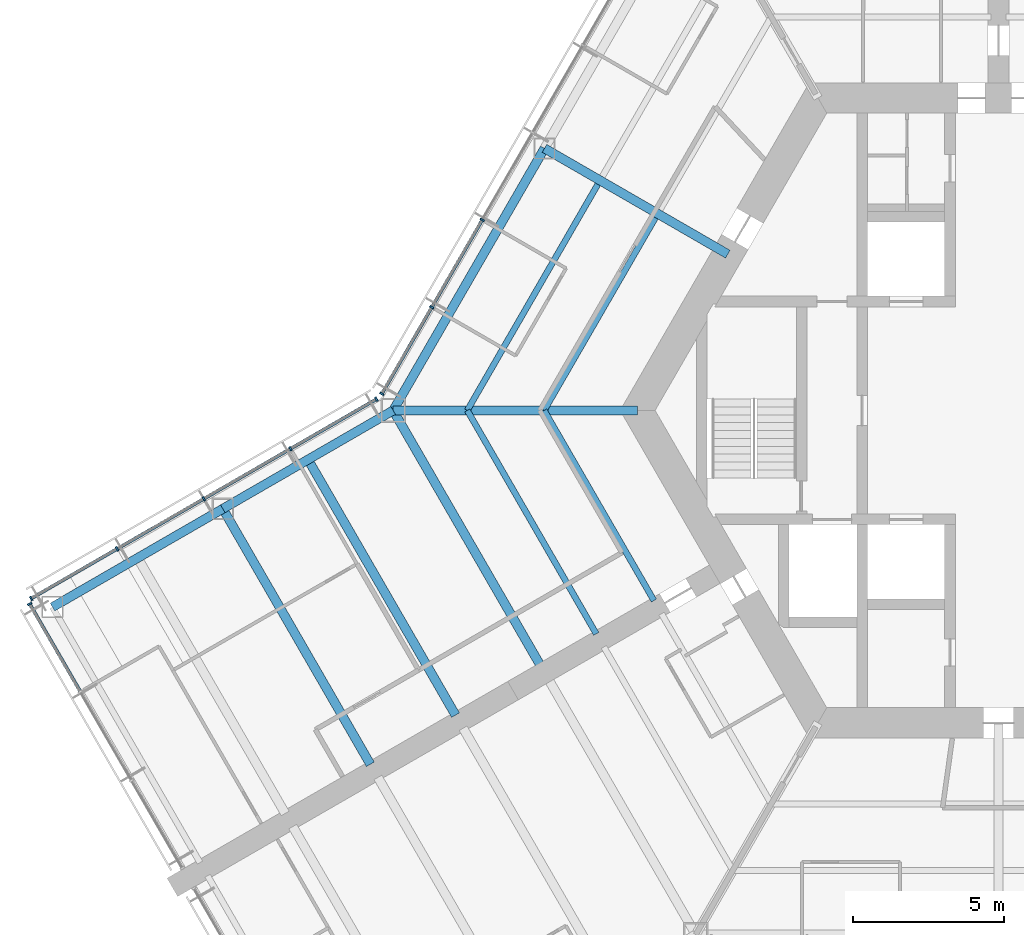
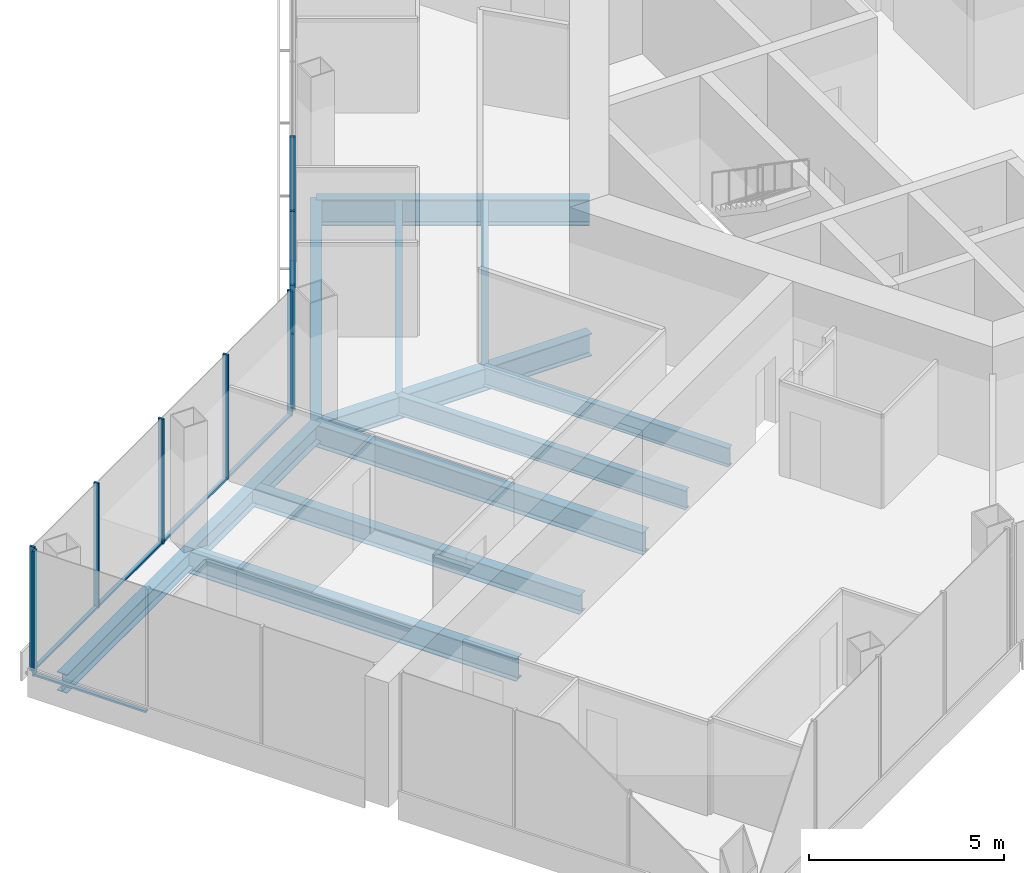
# One storey, part 4 of 18: 16 members, 12 beams, 3 elements without a shape of their own.
"""IFC4 building model written with IfcOpenShell, lengths in metres."""

from ifc_helpers import new_model, si_unit, direction, frame, origin, origin_2d, place, context, subcontext, project, spatial, rectangle, i_section, extrude, material, material_profile, profile_set, type_object, element, aggregate, save


model = new_model("IFC4")

# Units and contexts
model_context = context("Model", 3, precision=1e-05, world=origin(), true_north=direction((0.0, 1.0)))
body_context = subcontext(model_context, "Body", "Model", "MODEL_VIEW")
ifc_project = project(units=[si_unit("LENGTHUNIT", "METRE"), si_unit("AREAUNIT", "SQUARE_METRE"), si_unit("VOLUMEUNIT", "CUBIC_METRE"), si_unit("PLANEANGLEUNIT", "RADIAN"), si_unit("MASSUNIT", "GRAM", prefix="KILO")], contexts=[model_context])

# Site, building, storey
site_placement = place(None, origin())
site = spatial("IfcSite", under=ifc_project, at=site_placement, CompositionType="ELEMENT")
building_placement = place(site_placement, origin())
building = spatial("IfcBuilding", under=site, at=building_placement, Name="Kasaneha Research Tower", CompositionType="ELEMENT")
storey_placement = place(building_placement, frame((0.0, 0.0, 179.89990234375)))
storey = spatial("IfcBuildingStorey", under=building, at=storey_placement, Name="L45", CompositionType="ELEMENT", Elevation=179.89990234375)

# Beams
ifc_material_1 = material(Name="Steel SN490B", Category="steel")
ifc_material_profile_1 = material_profile(ifc_material_1, i_section(OverallWidth=0.199951171875, OverallDepth=0.60009765625, WebThickness=0.010986328125, FlangeThickness=0.01708984375, FilletRadius=0.012939453125, at=origin_2d()), Name="H-600x200x11x17")
ifc_profile_set_1 = profile_set([ifc_material_profile_1], Name="Steel SN490B")
beam_type_1 = type_object("IfcBeamType", Name="B1-3 secondary beam H-600x200x11x17", PredefinedType="JOIST", material=ifc_profile_set_1)
beam_1_placement = place(storey_placement, frame((-15.010986328125, 0.0, -0.449951171875), z_axis=(0.499994443168, 0.866028611999, 0.0), x_axis=(-0.866028611999, 0.499994443168, 0.0)))
element("IfcBeam", 1, at=beam_1_placement, inside=storey, type_object=beam_type_1, Name="Secondary beam RS150R1 L45", PredefinedType="JOIST", context=body_context, shape_type="SweptSolid", body=[
    extrude(i_section(OverallWidth=0.199951171875, OverallDepth=0.60009765625, WebThickness=0.010986328125, FlangeThickness=0.01708984375, FilletRadius=0.012939453125, at=origin_2d()), origin(), (0.0, 0.0, 1.0), 7.35546875),
])
beam_2_placement = place(storey_placement, frame((-17.551513671875, 0.0, -0.449951171875), z_axis=(0.5000050195, 0.866022505755, 0.0), x_axis=(-0.866022505755, 0.5000050195, 0.0)))
element("IfcBeam", 2, at=beam_2_placement, inside=storey, type_object=beam_type_1, Name="Secondary beam RS150R2 L45", PredefinedType="JOIST", context=body_context, shape_type="SweptSolid", body=[
    extrude(i_section(OverallWidth=0.199951171875, OverallDepth=0.60009765625, WebThickness=0.010986328125, FlangeThickness=0.01708984375, FilletRadius=0.012939453125, at=origin_2d()), origin(), (0.0, 0.0, 1.0), 8.6259765625),
])
beam_3_placement = place(storey_placement, frame((-15.010986328125, 0.0, -0.449951171875), z_axis=(0.499993340521, -0.866029248602, 0.0), x_axis=(0.866029248602, 0.499993340521, 0.0)))
element("IfcBeam", 3, at=beam_3_placement, inside=storey, type_object=beam_type_1, Name="Secondary beam RS210L1 L45", PredefinedType="JOIST", context=body_context, shape_type="SweptSolid", body=[
    extrude(i_section(OverallWidth=0.199951171875, OverallDepth=0.60009765625, WebThickness=0.010986328125, FlangeThickness=0.01708984375, FilletRadius=0.012939453125, at=origin_2d()), origin(), (0.0, 0.0, 1.0), 7.25537109375),
])
beam_4_placement = place(storey_placement, frame((-17.551513671875, 0.0, -0.449951171875), z_axis=(0.500004205306, -0.866022975836, 0.0), x_axis=(0.866022975836, 0.500004205306, 0.0)))
element("IfcBeam", 4, at=beam_4_placement, inside=storey, type_object=beam_type_1, Name="Secondary beam RS210L2 L45", PredefinedType="JOIST", context=body_context, shape_type="SweptSolid", body=[
    extrude(i_section(OverallWidth=0.199951171875, OverallDepth=0.60009765625, WebThickness=0.010986328125, FlangeThickness=0.01708984375, FilletRadius=0.012939453125, at=origin_2d()), origin(), (0.0, 0.0, 1.0), 8.52587890625),
])
ifc_material_2 = material(Name="Steel SN490B", Category="steel")
ifc_material_profile_2 = material_profile(ifc_material_2, i_section(OverallWidth=0.300048828125, OverallDepth=0.58203125, WebThickness=0.011962890625, FlangeThickness=0.01708984375, FilletRadius=0.012939453125, at=origin_2d()), Name="H-582x300x12x17")
ifc_profile_set_2 = profile_set([ifc_material_profile_2], Name="Steel SN490B")
beam_type_2 = type_object("IfcBeamType", Name="B2-3 secondary beam H-582x300x12x17", PredefinedType="JOIST", material=ifc_profile_set_2)
beam_5_placement = place(storey_placement, frame((-22.814697265625, -1.625, -0.44091796875), z_axis=(0.499995560238, -0.866027967067, 0.0), x_axis=(0.866027967067, 0.499995560238, 0.0)))
element("IfcBeam", 5, at=beam_5_placement, inside=storey, type_object=beam_type_2, Name="Secondary beam WBBP1 L45", PredefinedType="JOIST", context=body_context, shape_type="SweptSolid", body=[
    extrude(i_section(OverallWidth=0.300048828125, OverallDepth=0.58203125, WebThickness=0.011962890625, FlangeThickness=0.01708984375, FilletRadius=0.012939453125, at=origin_2d()), origin(), (0.0, 0.0, 1.0), 9.75),
])

# Curtain wall, members
ifc_material_3 = material(Name="Glass and aluminium", Category="aluminium")
curtain_wall_type = type_object("IfcCurtainWallType", Name="Mid-rise office curtain wall", PredefinedType="USERDEFINED", material=ifc_material_3)
curtain_wall_1_placement = place(storey_placement, origin())
curtain_wall_1 = element("IfcCurtainWall", 6, at=curtain_wall_1_placement, inside=storey, type_object=curtain_wall_type, Name="CW-O2 L45 run 08a", ObjectType="UNITISED CURTAIN WALL", PredefinedType="USERDEFINED")
ifc_material_4 = material(Name="Aluminium 6063-T6", Category="aluminium")
ifc_material_profile_3 = material_profile(ifc_material_4, rectangle(XDim=0.06005859375, YDim=0.14990234375, at=origin_2d()), Name="CW-O2 mullion 60x150")
ifc_profile_set_3 = profile_set([ifc_material_profile_3], Name="Aluminium 6063-T6")
member_type_1 = type_object("IfcMemberType", Name="CW-O2 mullion", PredefinedType="MULLION", material=ifc_profile_set_3)
member_1_placement = place(storey_placement, frame((-17.058349609375, 6.295166015625, 0.0), z_axis=(0.0, 0.0, 1.0), x_axis=(-0.499999979232, -0.866025415775, 0.0)))
member_1 = element("IfcMember", 7, at=member_1_placement, type_object=member_type_1, Name="CW-O2 mullion 5", PredefinedType="MULLION", context=body_context, shape_type="SweptSolid", body=[
    extrude(rectangle(XDim=0.06005859375, YDim=0.14990234375, at=origin_2d()), origin(), (0.0, 0.0, 1.0), 3.900146484375),
])
member_2_placement = place(storey_placement, frame((-18.723876953125, 3.410400390625, 0.0), z_axis=(0.0, 0.0, 1.0), x_axis=(-0.499999979232, -0.866025415775, 0.0)))
member_2 = element("IfcMember", 8, at=member_2_placement, type_object=member_type_1, Name="CW-O2 mullion 6", PredefinedType="MULLION", context=body_context, shape_type="SweptSolid", body=[
    extrude(rectangle(XDim=0.06005859375, YDim=0.14990234375, at=origin_2d()), origin(), (0.0, 0.0, 1.0), 3.900146484375),
])
member_3_placement = place(storey_placement, frame((-20.374267578125, 0.5517578125, 0.0), z_axis=(0.0, 0.0, 1.0), x_axis=(-0.499999979232, -0.866025415775, 0.0)))
member_3 = element("IfcMember", 9, at=member_3_placement, type_object=member_type_1, Name="CW-O2 mullion 7", PredefinedType="MULLION", context=body_context, shape_type="SweptSolid", body=[
    extrude(rectangle(XDim=0.06005859375, YDim=0.14990234375, at=origin_2d()), origin(), (0.0, 0.0, 1.0), 3.900146484375),
])

curtain_wall_2_placement = place(storey_placement, origin())
curtain_wall_2 = element("IfcCurtainWall", 10, at=curtain_wall_2_placement, inside=storey, type_object=curtain_wall_type, Name="CW-O2 L45 run 09a", ObjectType="UNITISED CURTAIN WALL", PredefinedType="USERDEFINED")
member_4_placement = place(storey_placement, frame((-20.5517578125, 0.374267578125, 0.0), z_axis=(0.0, 0.0, 1.0), x_axis=(-0.866025411464, -0.499999986699, 0.0)))
member_4 = element("IfcMember", 11, at=member_4_placement, type_object=member_type_1, Name="CW-O2 mullion 1", PredefinedType="MULLION", context=body_context, shape_type="SweptSolid", body=[
    extrude(rectangle(XDim=0.06005859375, YDim=0.14990234375, at=origin_2d()), origin(), (0.0, 0.0, 1.0), 3.900146484375),
])
member_5_placement = place(storey_placement, frame((-23.39208984375, -1.265625, 0.0), z_axis=(0.0, 0.0, 1.0), x_axis=(-0.866025411464, -0.499999986699, 0.0)))
member_5 = element("IfcMember", 12, at=member_5_placement, type_object=member_type_1, Name="CW-O2 mullion 2", PredefinedType="MULLION", context=body_context, shape_type="SweptSolid", body=[
    extrude(rectangle(XDim=0.06005859375, YDim=0.14990234375, at=origin_2d()), origin(), (0.0, 0.0, 1.0), 3.900146484375),
])
member_6_placement = place(storey_placement, frame((-26.258544921875, -2.920654296875, 0.0), z_axis=(0.0, 0.0, 1.0), x_axis=(-0.866025411464, -0.499999986699, 0.0)))
member_6 = element("IfcMember", 13, at=member_6_placement, type_object=member_type_1, Name="CW-O2 mullion 3", PredefinedType="MULLION", context=body_context, shape_type="SweptSolid", body=[
    extrude(rectangle(XDim=0.06005859375, YDim=0.14990234375, at=origin_2d()), origin(), (0.0, 0.0, 1.0), 3.900146484375),
])
member_7_placement = place(storey_placement, frame((-29.125, -4.575439453125, 0.0), z_axis=(0.0, 0.0, 1.0), x_axis=(-0.866025411464, -0.499999986699, 0.0)))
member_7 = element("IfcMember", 14, at=member_7_placement, type_object=member_type_1, Name="CW-O2 mullion 4", PredefinedType="MULLION", context=body_context, shape_type="SweptSolid", body=[
    extrude(rectangle(XDim=0.06005859375, YDim=0.14990234375, at=origin_2d()), origin(), (0.0, 0.0, 1.0), 3.900146484375),
])
member_8_placement = place(storey_placement, frame((-31.96533203125, -6.21533203125, 0.0), z_axis=(0.0, 0.0, 1.0), x_axis=(-0.866025411464, -0.499999986699, 0.0)))
member_8 = element("IfcMember", 15, at=member_8_placement, type_object=member_type_1, Name="CW-O2 mullion 5", PredefinedType="MULLION", context=body_context, shape_type="SweptSolid", body=[
    extrude(rectangle(XDim=0.06005859375, YDim=0.14990234375, at=origin_2d()), origin(), (0.0, 0.0, 1.0), 3.900146484375),
])

# Curtain wall, member
curtain_wall_3_placement = place(storey_placement, origin())
curtain_wall_3 = element("IfcCurtainWall", 16, at=curtain_wall_3_placement, inside=storey, type_object=curtain_wall_type, Name="CW-O2 L45 run 10a", ObjectType="UNITISED CURTAIN WALL", PredefinedType="USERDEFINED")
member_9_placement = place(storey_placement, frame((-32.012939453125, -6.39306640625, 0.0), z_axis=(0.0, 0.0, 1.0), x_axis=(0.500000011442, -0.866025397178, 0.0)))
member_9 = element("IfcMember", 17, at=member_9_placement, type_object=member_type_1, Name="CW-O2 mullion 1", PredefinedType="MULLION", context=body_context, shape_type="SweptSolid", body=[
    extrude(rectangle(XDim=0.06005859375, YDim=0.14990234375, at=origin_2d()), origin(), (0.0, 0.0, 1.0), 3.900146484375),
])

# Member
ifc_material_5 = material(Name="Aluminium 6063-T6", Category="aluminium")
ifc_material_profile_4 = material_profile(ifc_material_5, rectangle(XDim=0.110107421875, YDim=0.06005859375, at=origin_2d()), Name="CW-O2 transom 110x60")
ifc_profile_set_4 = profile_set([ifc_material_profile_4], Name="Aluminium 6063-T6")
member_type_2 = type_object("IfcMemberType", Name="CW-O2 transom", PredefinedType="USERDEFINED", material=ifc_profile_set_4)
member_10_placement = place(storey_placement, frame((-17.0732421875, 6.269287109375, 0.030029296875), z_axis=(-0.500000270186, -0.866025247793, 0.0), x_axis=(0.866025247793, -0.500000270186, 0.0)))
member_10 = element("IfcMember", 18, at=member_10_placement, type_object=member_type_2, Name="CW-O2 transom 5", ObjectType="TRANSOM", PredefinedType="USERDEFINED", context=body_context, shape_type="SweptSolid", body=[
    extrude(rectangle(XDim=0.110107421875, YDim=0.06005859375, at=origin_2d()), origin(), (0.0, 0.0, 1.0), 3.27099609375),
])

member_11_placement = place(storey_placement, frame((-18.73876953125, 3.384521484375, 0.030029296875), z_axis=(-0.499987643696, -0.866032537582, 0.0), x_axis=(0.866032537582, -0.499987643696, 0.0)))
member_11 = element("IfcMember", 19, at=member_11_placement, type_object=member_type_2, Name="CW-O2 transom 6", ObjectType="TRANSOM", PredefinedType="USERDEFINED", context=body_context, shape_type="SweptSolid", body=[
    extrude(rectangle(XDim=0.110107421875, YDim=0.06005859375, at=origin_2d()), origin(), (0.0, 0.0, 1.0), 3.24072265625),
])

aggregate(curtain_wall_1, [member_1, member_2, member_3, member_10, member_11])

member_12_placement = place(storey_placement, frame((-20.577880859375, 0.359130859375, 0.030029296875), z_axis=(-0.866022692473, -0.500004696101, 0.0), x_axis=(0.500004696101, -0.866022692473, 0.0)))
member_12 = element("IfcMember", 20, at=member_12_placement, type_object=member_type_2, Name="CW-O2 transom 1", ObjectType="TRANSOM", PredefinedType="USERDEFINED", context=body_context, shape_type="SweptSolid", body=[
    extrude(rectangle(XDim=0.110107421875, YDim=0.06005859375, at=origin_2d()), origin(), (0.0, 0.0, 1.0), 3.2197265625),
])

member_13_placement = place(storey_placement, frame((-23.418212890625, -1.28076171875, 0.030029296875), z_axis=(-0.86604797581, -0.499960902066, 0.0), x_axis=(0.499960902066, -0.86604797581, 0.0)))
member_13 = element("IfcMember", 21, at=member_13_placement, type_object=member_type_2, Name="CW-O2 transom 2", ObjectType="TRANSOM", PredefinedType="USERDEFINED", context=body_context, shape_type="SweptSolid", body=[
    extrude(rectangle(XDim=0.110107421875, YDim=0.06005859375, at=origin_2d()), origin(), (0.0, 0.0, 1.0), 3.249755859375),
])

member_14_placement = place(storey_placement, frame((-26.28466796875, -2.935546875, 0.030029296875), z_axis=(-0.86599666273, -0.500049777664, 0.0), x_axis=(0.500049777664, -0.86599666273, 0.0)))
member_14 = element("IfcMember", 22, at=member_14_placement, type_object=member_type_2, Name="CW-O2 transom 3", ObjectType="TRANSOM", PredefinedType="USERDEFINED", context=body_context, shape_type="SweptSolid", body=[
    extrude(rectangle(XDim=0.110107421875, YDim=0.06005859375, at=origin_2d()), origin(), (0.0, 0.0, 1.0), 3.249755859375),
])

member_15_placement = place(storey_placement, frame((-29.15087890625, -4.590576171875, 0.030029296875), z_axis=(-0.866041647767, -0.499971863542, 0.0), x_axis=(0.499971863542, -0.866041647767, 0.0)))
member_15 = element("IfcMember", 23, at=member_15_placement, type_object=member_type_2, Name="CW-O2 transom 4", ObjectType="TRANSOM", PredefinedType="USERDEFINED", context=body_context, shape_type="SweptSolid", body=[
    extrude(rectangle(XDim=0.110107421875, YDim=0.06005859375, at=origin_2d()), origin(), (0.0, 0.0, 1.0), 3.219970703125),
])

aggregate(curtain_wall_2, [member_4, member_5, member_6, member_7, member_8, member_12, member_13, member_14, member_15])

member_16_placement = place(storey_placement, frame((-31.998046875, -6.4189453125, 0.030029296875), z_axis=(0.500021914551, -0.866012751043, 0.0), x_axis=(0.866012751043, 0.500021914551, 0.0)))
member_16 = element("IfcMember", 24, at=member_16_placement, type_object=member_type_2, Name="CW-O2 transom 1", ObjectType="TRANSOM", PredefinedType="USERDEFINED", context=body_context, shape_type="SweptSolid", body=[
    extrude(rectangle(XDim=0.110107421875, YDim=0.06005859375, at=origin_2d()), origin(), (0.0, 0.0, 1.0), 3.293212890625),
])

aggregate(curtain_wall_3, [member_9, member_16])

# Beams
ifc_material_6 = material(Name="Steel SN490B", Category="steel")
ifc_material_profile_5 = material_profile(ifc_material_6, i_section(OverallWidth=0.300048828125, OverallDepth=0.699951171875, WebThickness=0.012939453125, FlangeThickness=0.02392578125, FilletRadius=0.01806640625, at=origin_2d()), Name="H-700x300x13x24")
ifc_profile_set_5 = profile_set([ifc_material_profile_5], Name="Steel SN490B")
beam_type_3 = type_object("IfcBeamType", Name="G1-3 radial girder H-700x300x13x24", PredefinedType="BEAM", material=ifc_profile_set_5)
beam_6_placement = place(storey_placement, frame((-11.92236328125, 0.0, -0.5), z_axis=(-1.0, 0.0, 0.0), x_axis=(0.0, -1.0, 0.0)))
element("IfcBeam", 25, at=beam_6_placement, inside=storey, type_object=beam_type_3, Name="Radial girder RV180 L45", PredefinedType="BEAM", context=body_context, shape_type="SweptSolid", body=[
    extrude(i_section(OverallWidth=0.300048828125, OverallDepth=0.699951171875, WebThickness=0.012939453125, FlangeThickness=0.02392578125, FilletRadius=0.01806640625, at=origin_2d()), origin(), (0.0, 0.0, 1.0), 8.07763671875),
])
ifc_material_7 = material(Name="Steel SN490B", Category="steel")
ifc_material_profile_6 = material_profile(ifc_material_7, i_section(OverallWidth=0.300048828125, OverallDepth=0.800048828125, WebThickness=0.013916015625, FlangeThickness=0.02587890625, FilletRadius=0.01806640625, at=origin_2d()), Name="H-800x300x14x26")
ifc_profile_set_6 = profile_set([ifc_material_profile_6], Name="Steel SN490B")
beam_type_4 = type_object("IfcBeamType", Name="G2-3 radial girder H-800x300x14x26", PredefinedType="BEAM", material=ifc_profile_set_6)
beam_7_placement = place(storey_placement, frame((-8.941650390625, 5.16259765625, -0.5498046875), z_axis=(-0.866039713508, 0.499975214012, 0.0), x_axis=(-0.499975214012, -0.866039713508, 0.0)))
element("IfcBeam", 26, at=beam_7_placement, inside=storey, type_object=beam_type_4, Name="Radial girder RM150 L45", PredefinedType="BEAM", context=body_context, shape_type="SweptSolid", body=[
    extrude(i_section(OverallWidth=0.300048828125, OverallDepth=0.800048828125, WebThickness=0.013916015625, FlangeThickness=0.02587890625, FilletRadius=0.01806640625, at=origin_2d()), origin(), (0.0, 0.0, 1.0), 6.995361328125),
])
ifc_material_8 = material(Name="Steel SN490B", Category="steel")
ifc_material_profile_7 = material_profile(ifc_material_8, i_section(OverallWidth=0.300048828125, OverallDepth=0.69189453125, WebThickness=0.012939453125, FlangeThickness=0.02001953125, FilletRadius=0.01806640625, at=origin_2d()), Name="H-692x300x13x20")
ifc_profile_set_7 = profile_set([ifc_material_profile_7], Name="Steel SN490B")
beam_type_5 = type_object("IfcBeamType", Name="G3-3 plate edge girder H-692x300x13x20", PredefinedType="BEAM", material=ifc_profile_set_7)
beam_8_placement = place(storey_placement, frame((-20.0, 0.0, -0.495849609375), z_axis=(0.499995560238, -0.866027967067, 0.0), x_axis=(0.866027967067, 0.499995560238, 0.0)))
element("IfcBeam", 27, at=beam_8_placement, inside=storey, type_object=beam_type_5, Name="Plate edge girder PEBP L45", PredefinedType="BEAM", context=body_context, shape_type="SweptSolid", body=[
    extrude(i_section(OverallWidth=0.300048828125, OverallDepth=0.69189453125, WebThickness=0.012939453125, FlangeThickness=0.02001953125, FilletRadius=0.01806640625, at=origin_2d()), origin(), (0.0, 0.0, 1.0), 9.75),
])
ifc_material_9 = material(Name="Steel SN490B", Category="steel")
ifc_material_profile_8 = material_profile(ifc_material_9, i_section(OverallWidth=0.300048828125, OverallDepth=0.699951171875, WebThickness=0.012939453125, FlangeThickness=0.02392578125, FilletRadius=0.01806640625, at=origin_2d()), Name="H-700x300x13x24")
ifc_profile_set_8 = profile_set([ifc_material_profile_8], Name="Steel SN490B")
beam_type_6 = type_object("IfcBeamType", Name="G4-3 wing girder H-700x300x13x24", PredefinedType="BEAM", material=ifc_profile_set_8)
beam_9_placement = place(storey_placement, frame((-25.629150390625, -3.25, -0.5), z_axis=(0.499995560238, -0.866027967067, 0.0), x_axis=(0.866027967067, 0.499995560238, 0.0)))
element("IfcBeam", 28, at=beam_9_placement, inside=storey, type_object=beam_type_6, Name="Wing girder WGBP L45", PredefinedType="BEAM", context=body_context, shape_type="SweptSolid", body=[
    extrude(i_section(OverallWidth=0.300048828125, OverallDepth=0.699951171875, WebThickness=0.012939453125, FlangeThickness=0.02392578125, FilletRadius=0.01806640625, at=origin_2d()), origin(), (0.0, 0.0, 1.0), 9.75),
])
ifc_material_10 = material(Name="Steel SN490B", Category="steel")
ifc_material_profile_9 = material_profile(ifc_material_10, i_section(OverallWidth=0.300048828125, OverallDepth=0.69189453125, WebThickness=0.012939453125, FlangeThickness=0.02001953125, FilletRadius=0.01806640625, at=origin_2d()), Name="H-692x300x13x20")
ifc_profile_set_9 = profile_set([ifc_material_profile_9], Name="Steel SN490B")
beam_type_7 = type_object("IfcBeamType", Name="SB1-3 spandrel beam H-692x300x13x20", PredefinedType="SPANDREL", material=ifc_profile_set_9)
beam_10_placement = place(storey_placement, frame((-20.0, 0.0, -0.495849609375), z_axis=(0.500004234368, 0.866022959057, 0.0), x_axis=(-0.866022959057, 0.500004234368, 0.0)))
element("IfcBeam", 29, at=beam_10_placement, inside=storey, type_object=beam_type_7, Name="Spandrel beam SR150R L45", PredefinedType="SPANDREL", context=body_context, shape_type="SweptSolid", body=[
    extrude(i_section(OverallWidth=0.300048828125, OverallDepth=0.69189453125, WebThickness=0.012939453125, FlangeThickness=0.02001953125, FilletRadius=0.01806640625, at=origin_2d()), origin(), (0.0, 0.0, 1.0), 10.0),
])
ifc_material_11 = material(Name="Steel SN490B", Category="steel")
ifc_material_profile_10 = material_profile(ifc_material_11, i_section(OverallWidth=0.300048828125, OverallDepth=0.58203125, WebThickness=0.011962890625, FlangeThickness=0.01708984375, FilletRadius=0.012939453125, at=origin_2d()), Name="H-582x300x12x17")
ifc_profile_set_10 = profile_set([ifc_material_profile_10], Name="Steel SN490B")
beam_type_8 = type_object("IfcBeamType", Name="SB2-3 spandrel beam H-582x300x12x17", PredefinedType="SPANDREL", material=ifc_profile_set_10)
for number, where, z_axis, x_axis, name in (
    (30, (-20.0, 0.0, -0.44091796875), (-0.866024837091, -0.50000098154, 0.0), (0.50000098154, -0.866024837091, 0.0), "Spandrel beam WSBP1 L45"),
    (31, (-25.629150390625, -3.25, -0.44091796875), (-0.866024837091, -0.50000098154, 0.0), (0.50000098154, -0.866024837091, 0.0), "Spandrel beam WSBP2 L45"),
):
    element("IfcBeam", number, at=place(storey_placement, frame(where, z_axis=z_axis, x_axis=x_axis)), inside=storey, type_object=beam_type_8, Name=name, PredefinedType="SPANDREL", context=body_context, shape_type="SweptSolid", body=[
        extrude(i_section(OverallWidth=0.300048828125, OverallDepth=0.58203125, WebThickness=0.011962890625, FlangeThickness=0.01708984375, FilletRadius=0.012939453125, at=origin_2d()), origin(), (0.0, 0.0, 1.0), 6.5),
    ])

save(model, "model.ifc")
